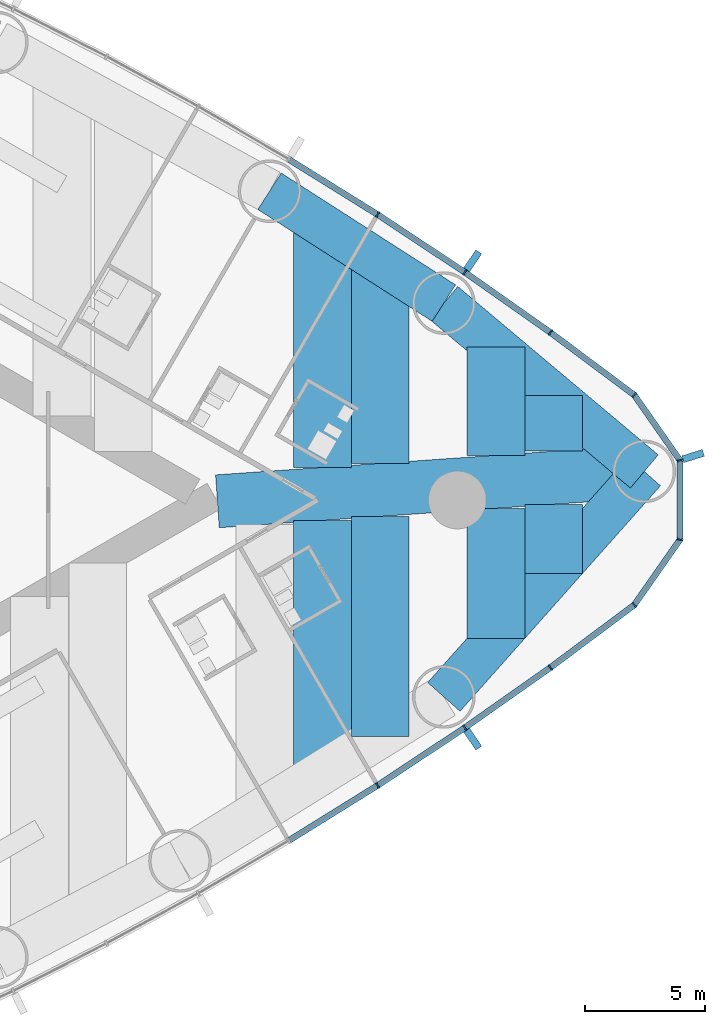
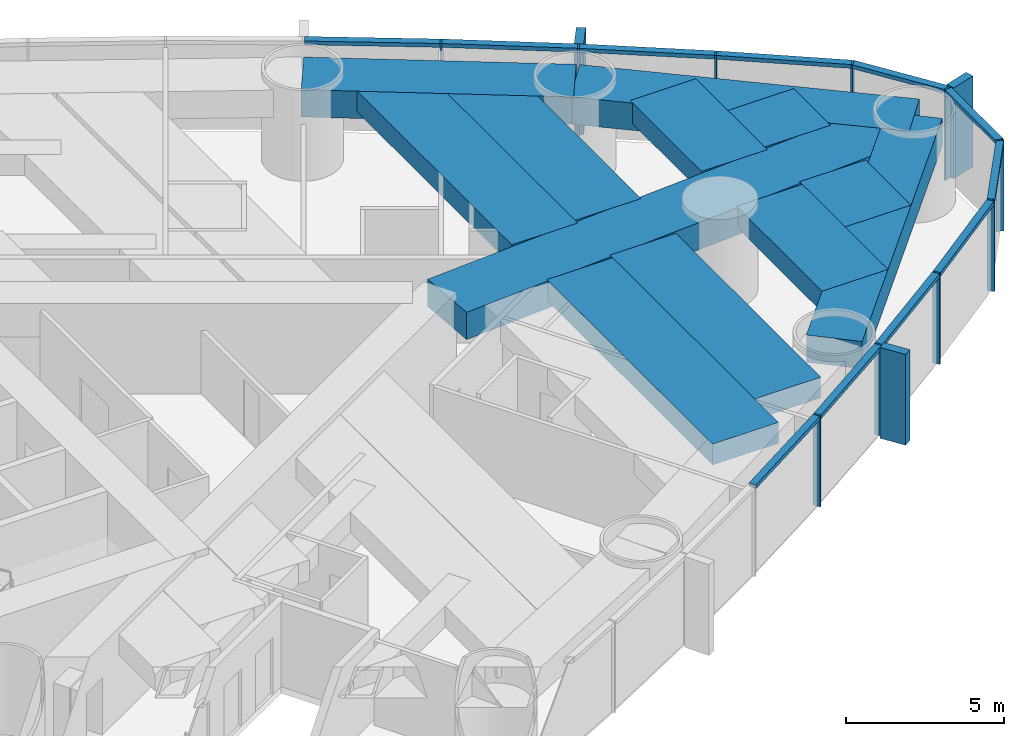
# One storey, part 8 of 18: 24 members, 12 beams, 1 element without a shape of its own.
"""IFC4 building model written with IfcOpenShell, lengths in metres."""

from ifc_helpers import new_model, si_unit, direction, frame, origin, origin_2d, place, context, subcontext, project, spatial, rectangle, extrude, material, material_profile, profile_set, type_object, element, aggregate, save


model = new_model("IFC4")

# Units and contexts
model_context = context("Model", 3, precision=1e-05, world=origin(), true_north=direction((0.0, 1.0)))
body_context = subcontext(model_context, "Body", "Model", "MODEL_VIEW")
ifc_project = project(units=[si_unit("LENGTHUNIT", "METRE"), si_unit("AREAUNIT", "SQUARE_METRE"), si_unit("VOLUMEUNIT", "CUBIC_METRE"), si_unit("PLANEANGLEUNIT", "RADIAN"), si_unit("MASSUNIT", "GRAM", prefix="KILO")], contexts=[model_context])

# Site, building, storey
site_placement = place(None, origin())
site = spatial("IfcSite", under=ifc_project, at=site_placement, CompositionType="ELEMENT")
building_placement = place(site_placement, origin())
building = spatial("IfcBuilding", under=site, at=building_placement, Name="Lancet Gate Hotel", CompositionType="ELEMENT")
storey_placement = place(building_placement, frame((0.0, 0.0, 101.10009765625)))
storey = spatial("IfcBuildingStorey", under=building, at=storey_placement, Name="L26", CompositionType="ELEMENT", Elevation=101.10009765625)

# Curtain wall, members
ifc_material_1 = material(Name="Aluminium curtain wall", Category="aluminium")
curtain_wall_type = type_object("IfcCurtainWallType", Name="Tower unitised curtain wall", PredefinedType="USERDEFINED", material=ifc_material_1)
curtain_wall_placement = place(storey_placement, origin())
curtain_wall = element("IfcCurtainWall", 1, at=curtain_wall_placement, inside=storey, type_object=curtain_wall_type, Name="T2 L26 curtain wall 1", ObjectType="UNITISED CURTAIN WALL", PredefinedType="USERDEFINED")
ifc_material_2 = material(Name="Aluminium mullion", Category="aluminium")
ifc_material_profile_1 = material_profile(ifc_material_2, rectangle(XDim=0.06494140625, YDim=0.25, at=origin_2d()), Name="MULLION 65x250")
ifc_profile_set_1 = profile_set([ifc_material_profile_1], Name="Aluminium mullion")
member_type_1 = type_object("IfcMemberType", Name="Aluminium mullion 65x250", PredefinedType="MULLION", material=ifc_profile_set_1)
member_1_placement = place(storey_placement, frame((58.188720703125, -11.8603515625, 0.0), z_axis=(0.0, 0.0, 1.0), x_axis=(0.841736224144, 0.539888996891, 0.0)))
member_1 = element("IfcMember", 2, at=member_1_placement, type_object=member_type_1, Name="T2 L26 curtain wall 1 mullion 13", PredefinedType="MULLION", context=body_context, shape_type="SweptSolid", body=[
    extrude(rectangle(XDim=0.06494140625, YDim=0.25, at=origin_2d()), origin(), (0.0, 0.0, 1.0), 3.5),
])
member_2_placement = place(storey_placement, frame((61.814208984375, -9.461669921875, 0.0), z_axis=(0.0, 0.0, 1.0), x_axis=(0.826065510491, 0.563574105489, 0.0)))
member_2 = element("IfcMember", 3, at=member_2_placement, type_object=member_type_1, Name="T2 L26 curtain wall 1 mullion 14", PredefinedType="MULLION", context=body_context, shape_type="SweptSolid", body=[
    extrude(rectangle(XDim=0.06494140625, YDim=0.25, at=origin_2d()), origin(), (0.0, 0.0, 1.0), 3.5),
])
member_3_placement = place(storey_placement, frame((65.370361328125, -6.9609375, 0.0), z_axis=(0.0, 0.0, 1.0), x_axis=(0.809728529035, 0.586804660229, 0.0)))
member_3 = element("IfcMember", 4, at=member_3_placement, type_object=member_type_1, Name="T2 L26 curtain wall 1 mullion 15", PredefinedType="MULLION", context=body_context, shape_type="SweptSolid", body=[
    extrude(rectangle(XDim=0.06494140625, YDim=0.25, at=origin_2d()), origin(), (0.0, 0.0, 1.0), 3.5),
])
member_4_placement = place(storey_placement, frame((68.853759765625, -4.360107421875, 0.0), z_axis=(0.0, 0.0, 1.0), x_axis=(0.711610374907, 0.702574319432, 0.0)))
member_4 = element("IfcMember", 5, at=member_4_placement, type_object=member_type_1, Name="T2 L26 curtain wall 1 mullion 16", PredefinedType="MULLION", context=body_context, shape_type="SweptSolid", body=[
    extrude(rectangle(XDim=0.06494140625, YDim=0.25, at=origin_2d()), origin(), (0.0, 0.0, 1.0), 3.5),
])
member_5_placement = place(storey_placement, frame((70.747314453125, -1.652099609375, 0.0), z_axis=(0.0, 0.0, 1.0), x_axis=(0.300384890639, 0.953818073574, 0.0)))
member_5 = element("IfcMember", 6, at=member_5_placement, type_object=member_type_1, Name="T2 L26 curtain wall 1 mullion 17", PredefinedType="MULLION", context=body_context, shape_type="SweptSolid", body=[
    extrude(rectangle(XDim=0.06494140625, YDim=0.25, at=origin_2d()), origin(), (0.0, 0.0, 1.0), 3.5),
])
member_6_placement = place(storey_placement, frame((70.747314453125, 1.652099609375, 0.0), z_axis=(0.0, 0.0, 1.0), x_axis=(-0.300384890639, 0.953818073574, 0.0)))
member_6 = element("IfcMember", 7, at=member_6_placement, type_object=member_type_1, Name="T2 L26 curtain wall 1 mullion 18", PredefinedType="MULLION", context=body_context, shape_type="SweptSolid", body=[
    extrude(rectangle(XDim=0.06494140625, YDim=0.25, at=origin_2d()), origin(), (0.0, 0.0, 1.0), 3.5),
])
member_7_placement = place(storey_placement, frame((68.853759765625, 4.360107421875, 0.0), z_axis=(0.0, 0.0, 1.0), x_axis=(-0.711610374907, 0.702574319432, 0.0)))
member_7 = element("IfcMember", 8, at=member_7_placement, type_object=member_type_1, Name="T2 L26 curtain wall 1 mullion 19", PredefinedType="MULLION", context=body_context, shape_type="SweptSolid", body=[
    extrude(rectangle(XDim=0.06494140625, YDim=0.25, at=origin_2d()), origin(), (0.0, 0.0, 1.0), 3.5),
])
member_8_placement = place(storey_placement, frame((65.370361328125, 6.9609375, 0.0), z_axis=(0.0, 0.0, 1.0), x_axis=(-0.809728529035, 0.586804660229, 0.0)))
member_8 = element("IfcMember", 9, at=member_8_placement, type_object=member_type_1, Name="T2 L26 curtain wall 1 mullion 20", PredefinedType="MULLION", context=body_context, shape_type="SweptSolid", body=[
    extrude(rectangle(XDim=0.06494140625, YDim=0.25, at=origin_2d()), origin(), (0.0, 0.0, 1.0), 3.5),
])
member_9_placement = place(storey_placement, frame((61.814208984375, 9.461669921875, 0.0), z_axis=(0.0, 0.0, 1.0), x_axis=(-0.826065510491, 0.563574105489, 0.0)))
member_9 = element("IfcMember", 10, at=member_9_placement, type_object=member_type_1, Name="T2 L26 curtain wall 1 mullion 21", PredefinedType="MULLION", context=body_context, shape_type="SweptSolid", body=[
    extrude(rectangle(XDim=0.06494140625, YDim=0.25, at=origin_2d()), origin(), (0.0, 0.0, 1.0), 3.5),
])
member_10_placement = place(storey_placement, frame((58.188720703125, 11.8603515625, 0.0), z_axis=(0.0, 0.0, 1.0), x_axis=(-0.841736224144, 0.539888996891, 0.0)))
member_10 = element("IfcMember", 11, at=member_10_placement, type_object=member_type_1, Name="T2 L26 curtain wall 1 mullion 22", PredefinedType="MULLION", context=body_context, shape_type="SweptSolid", body=[
    extrude(rectangle(XDim=0.06494140625, YDim=0.25, at=origin_2d()), origin(), (0.0, 0.0, 1.0), 3.5),
])
ifc_material_3 = material(Name="Aluminium transom", Category="aluminium")
ifc_material_profile_2 = material_profile(ifc_material_3, rectangle(XDim=0.25, YDim=0.14990234375, at=origin_2d()), Name="TRANSOM 250x150")
ifc_profile_set_2 = profile_set([ifc_material_profile_2], Name="Aluminium transom")
member_type_2 = type_object("IfcMemberType", Name="Aluminium transom 250x150", PredefinedType="USERDEFINED", material=ifc_profile_set_2)
member_11_placement = place(storey_placement, frame((54.52392578125, -14.13818359375, 3.4248046875), z_axis=(0.849308812566, 0.527896335371, 0.0), x_axis=(-0.527896335371, 0.849308812566, 0.0)))
member_11 = element("IfcMember", 12, at=member_11_placement, type_object=member_type_2, Name="T2 L26 curtain wall 1 transom 12", ObjectType="TRANSOM", PredefinedType="USERDEFINED", context=body_context, shape_type="SweptSolid", body=[
    extrude(rectangle(XDim=0.25, YDim=0.14990234375, at=origin_2d()), origin(), (0.0, 0.0, 1.0), 4.282470703125),
])
member_12_placement = place(storey_placement, frame((58.2158203125, -11.842529296875, 3.4248046875), z_axis=(0.833966159038, 0.551815590192, 0.0), x_axis=(-0.551815590192, 0.833966159038, 0.0)))
member_12 = element("IfcMember", 13, at=member_12_placement, type_object=member_type_2, Name="T2 L26 curtain wall 1 transom 13", ObjectType="TRANSOM", PredefinedType="USERDEFINED", context=body_context, shape_type="SweptSolid", body=[
    extrude(rectangle(XDim=0.25, YDim=0.14990234375, at=origin_2d()), origin(), (0.0, 0.0, 1.0), 4.2822265625),
])
member_13_placement = place(storey_placement, frame((61.8408203125, -9.44287109375, 3.4248046875), z_axis=(0.817987243547, 0.57523635959, 0.0), x_axis=(-0.57523635959, 0.817987243547, 0.0)))
member_13 = element("IfcMember", 14, at=member_13_placement, type_object=member_type_2, Name="T2 L26 curtain wall 1 transom 14", ObjectType="TRANSOM", PredefinedType="USERDEFINED", context=body_context, shape_type="SweptSolid", body=[
    extrude(rectangle(XDim=0.25, YDim=0.14990234375, at=origin_2d()), origin(), (0.0, 0.0, 1.0), 4.282470703125),
])
member_14_placement = place(storey_placement, frame((65.396240234375, -6.94140625, 3.4248046875), z_axis=(0.801311559064, 0.598247261014, 0.0), x_axis=(-0.598247261014, 0.801311559064, 0.0)))
member_14 = element("IfcMember", 15, at=member_14_placement, type_object=member_type_2, Name="T2 L26 curtain wall 1 transom 15", ObjectType="TRANSOM", PredefinedType="USERDEFINED", context=body_context, shape_type="SweptSolid", body=[
    extrude(rectangle(XDim=0.25, YDim=0.14990234375, at=origin_2d()), origin(), (0.0, 0.0, 1.0), 4.282470703125),
])
member_15_placement = place(storey_placement, frame((68.87255859375, -4.33349609375, 3.4248046875), z_axis=(0.573017137751, 0.819543384967, 0.0), x_axis=(-0.819543384967, 0.573017137751, 0.0)))
member_15 = element("IfcMember", 16, at=member_15_placement, type_object=member_type_2, Name="T2 L26 curtain wall 1 transom 16", ObjectType="TRANSOM", PredefinedType="USERDEFINED", context=body_context, shape_type="SweptSolid", body=[
    extrude(rectangle(XDim=0.25, YDim=0.14990234375, at=origin_2d()), origin(), (0.0, 0.0, 1.0), 3.2392578125),
])
member_16_placement = place(storey_placement, frame((70.747314453125, -1.61962890625, 3.4248046875), z_axis=(0.0, 1.0, 0.0), x_axis=(-1.0, 0.0, 0.0)))
member_16 = element("IfcMember", 17, at=member_16_placement, type_object=member_type_2, Name="T2 L26 curtain wall 1 transom 17", ObjectType="TRANSOM", PredefinedType="USERDEFINED", context=body_context, shape_type="SweptSolid", body=[
    extrude(rectangle(XDim=0.25, YDim=0.14990234375, at=origin_2d()), origin(), (0.0, 0.0, 1.0), 3.2392578125),
])
member_17_placement = place(storey_placement, frame((70.728759765625, 1.6787109375, 3.4248046875), z_axis=(-0.573017137751, 0.819543384967, 0.0), x_axis=(-0.819543384967, -0.573017137751, 0.0)))
member_17 = element("IfcMember", 18, at=member_17_placement, type_object=member_type_2, Name="T2 L26 curtain wall 1 transom 18", ObjectType="TRANSOM", PredefinedType="USERDEFINED", context=body_context, shape_type="SweptSolid", body=[
    extrude(rectangle(XDim=0.25, YDim=0.14990234375, at=origin_2d()), origin(), (0.0, 0.0, 1.0), 3.2392578125),
])
member_18_placement = place(storey_placement, frame((68.827880859375, 4.37939453125, 3.4248046875), z_axis=(-0.801311559064, 0.598247261014, 0.0), x_axis=(-0.598247261014, -0.801311559064, 0.0)))
member_18 = element("IfcMember", 19, at=member_18_placement, type_object=member_type_2, Name="T2 L26 curtain wall 1 transom 19", ObjectType="TRANSOM", PredefinedType="USERDEFINED", context=body_context, shape_type="SweptSolid", body=[
    extrude(rectangle(XDim=0.25, YDim=0.14990234375, at=origin_2d()), origin(), (0.0, 0.0, 1.0), 4.282470703125),
])
member_19_placement = place(storey_placement, frame((65.34375, 6.9794921875, 3.4248046875), z_axis=(-0.817987243547, 0.57523635959, 0.0), x_axis=(-0.57523635959, -0.817987243547, 0.0)))
member_19 = element("IfcMember", 20, at=member_19_placement, type_object=member_type_2, Name="T2 L26 curtain wall 1 transom 20", ObjectType="TRANSOM", PredefinedType="USERDEFINED", context=body_context, shape_type="SweptSolid", body=[
    extrude(rectangle(XDim=0.25, YDim=0.14990234375, at=origin_2d()), origin(), (0.0, 0.0, 1.0), 4.282470703125),
])
member_20_placement = place(storey_placement, frame((61.787109375, 9.4794921875, 3.4248046875), z_axis=(-0.833966159038, 0.551815590192, 0.0), x_axis=(-0.551815590192, -0.833966159038, 0.0)))
member_20 = element("IfcMember", 21, at=member_20_placement, type_object=member_type_2, Name="T2 L26 curtain wall 1 transom 21", ObjectType="TRANSOM", PredefinedType="USERDEFINED", context=body_context, shape_type="SweptSolid", body=[
    extrude(rectangle(XDim=0.25, YDim=0.14990234375, at=origin_2d()), origin(), (0.0, 0.0, 1.0), 4.2822265625),
])
member_21_placement = place(storey_placement, frame((58.1611328125, 11.87744140625, 3.4248046875), z_axis=(-0.849308812566, 0.527896335371, 0.0), x_axis=(-0.527896335371, -0.849308812566, 0.0)))
member_21 = element("IfcMember", 22, at=member_21_placement, type_object=member_type_2, Name="T2 L26 curtain wall 1 transom 22", ObjectType="TRANSOM", PredefinedType="USERDEFINED", context=body_context, shape_type="SweptSolid", body=[
    extrude(rectangle(XDim=0.25, YDim=0.14990234375, at=origin_2d()), origin(), (0.0, 0.0, 1.0), 4.282470703125),
])

# Beams
ifc_material_4 = material(Name="Concrete C50/60", Category="concrete")
ifc_material_profile_3 = material_profile(ifc_material_4, rectangle(XDim=1.800048828125, YDim=1.050048828125, at=origin_2d()), Name="RC 1800x1050")
ifc_profile_set_3 = profile_set([ifc_material_profile_3], Name="Concrete C50/60")
beam_type_1 = type_object("IfcBeamType", Name="Edge beam RC 1800x1050", PredefinedType="SPANDREL", material=ifc_profile_set_3)
beam_1_placement = place(storey_placement, frame((60.940673828125, -8.18115234375, 2.724853515625), z_axis=(0.664421866815, 0.74735773422, 0.0), x_axis=(-0.74735773422, 0.664421866815, 0.0)))
element("IfcBeam", 23, at=beam_1_placement, inside=storey, type_object=beam_type_1, Name="T2 edge beam EB1 L26", PredefinedType="SPANDREL", context=body_context, shape_type="SweptSolid", body=[
    extrude(rectangle(XDim=1.800048828125, YDim=1.050048828125, at=origin_2d()), origin(), (0.0, 0.0, 1.0), 12.534423828125),
])
beam_2_placement = place(storey_placement, frame((69.268798828125, 1.1865234375, 2.724853515625), z_axis=(-0.765749969712, 0.643138386264, 0.0), x_axis=(-0.643138386264, -0.765749969712, 0.0)))
element("IfcBeam", 24, at=beam_2_placement, inside=storey, type_object=beam_type_1, Name="T2 edge beam EB1 L26", PredefinedType="SPANDREL", context=body_context, shape_type="SweptSolid", body=[
    extrude(rectangle(XDim=1.800048828125, YDim=1.050048828125, at=origin_2d()), origin(), (0.0, 0.0, 1.0), 10.875732421875),
])
beam_3_placement = place(storey_placement, frame((60.940673828125, 8.18115234375, 2.724853515625), z_axis=(-0.841727408736, 0.539902740669, 0.0), x_axis=(-0.539902740669, -0.841727408736, 0.0)))
element("IfcBeam", 25, at=beam_3_placement, inside=storey, type_object=beam_type_1, Name="T2 edge beam EB1 L26", PredefinedType="SPANDREL", context=body_context, shape_type="SweptSolid", body=[
    extrude(rectangle(XDim=1.800048828125, YDim=1.050048828125, at=origin_2d()), origin(), (0.0, 0.0, 1.0), 8.605712890625),
])

# Member
ifc_material_5 = material(Name="Precast concrete C50/60", Category="concrete")
ifc_material_profile_4 = material_profile(ifc_material_5, rectangle(XDim=0.300048828125, YDim=0.89990234375, at=origin_2d()), Name="FIN 300x900")
ifc_profile_set_4 = profile_set([ifc_material_profile_4], Name="Precast concrete C50/60")
member_type_3 = type_object("IfcMemberType", Name="Exposed concrete fin 300x900", PredefinedType="USERDEFINED", material=ifc_profile_set_4)
member_22_placement = place(storey_placement, frame((62.138427734375, -9.9365234375, 0.0), z_axis=(0.0, 0.0, 1.0), x_axis=(0.826065510491, 0.563574105489, 0.0)))
member_22 = element("IfcMember", 26, at=member_22_placement, type_object=member_type_3, Name="T2 L26 curtain wall 1 fin 14", ObjectType="FIN", PredefinedType="USERDEFINED", context=body_context, shape_type="SweptSolid", body=[
    extrude(rectangle(XDim=0.300048828125, YDim=0.89990234375, at=origin_2d()), origin(), (0.0, 0.0, 1.0), 3.5),
])

member_23_placement = place(storey_placement, frame((71.295654296875, 1.824951171875, 0.0), z_axis=(0.0, 0.0, 1.0), x_axis=(-0.300384890639, 0.953818073574, 0.0)))
member_23 = element("IfcMember", 27, at=member_23_placement, type_object=member_type_3, Name="T2 L26 curtain wall 1 fin 18", ObjectType="FIN", PredefinedType="USERDEFINED", context=body_context, shape_type="SweptSolid", body=[
    extrude(rectangle(XDim=0.300048828125, YDim=0.89990234375, at=origin_2d()), origin(), (0.0, 0.0, 1.0), 3.5),
])

member_24_placement = place(storey_placement, frame((62.138427734375, 9.9365234375, 0.0), z_axis=(0.0, 0.0, 1.0), x_axis=(-0.826065510491, 0.563574105489, 0.0)))
member_24 = element("IfcMember", 28, at=member_24_placement, type_object=member_type_3, Name="T2 L26 curtain wall 1 fin 21", ObjectType="FIN", PredefinedType="USERDEFINED", context=body_context, shape_type="SweptSolid", body=[
    extrude(rectangle(XDim=0.300048828125, YDim=0.89990234375, at=origin_2d()), origin(), (0.0, 0.0, 1.0), 3.5),
])

aggregate(curtain_wall, [member_1, member_2, member_22, member_3, member_4, member_5, member_6, member_23, member_7, member_8, member_9, member_24, member_10, member_11, member_12, member_13, member_14, member_15, member_16, member_17, member_18, member_19, member_20, member_21])

# Beams
ifc_material_6 = material(Name="Concrete C50/60", Category="concrete")
ifc_material_profile_5 = material_profile(ifc_material_6, rectangle(XDim=2.39990234375, YDim=0.800048828125, at=origin_2d()), Name="RC 2400x800")
ifc_profile_set_5 = profile_set([ifc_material_profile_5], Name="Concrete C50/60")
beam_type_2 = type_object("IfcBeamType", Name="Floor beam RC 2400x800", PredefinedType="BEAM", material=ifc_profile_set_5)
beam_4_placement = place(storey_placement, frame((55.90234375, -11.312744140625, 2.849853515625), z_axis=(0.0, 1.0, 0.0), x_axis=(-1.0, 0.0, 0.0)))
element("IfcBeam", 29, at=beam_4_placement, inside=storey, type_object=beam_type_2, Name="T2 floor beam F14S L26", PredefinedType="BEAM", context=body_context, shape_type="SweptSolid", body=[
    extrude(rectangle(XDim=2.39990234375, YDim=0.800048828125, at=origin_2d()), origin(), (0.0, 0.0, 1.0), 10.4619140625),
])
beam_5_placement = place(storey_placement, frame((55.90234375, 1.3544921875, 2.849853515625), z_axis=(0.0, 1.0, 0.0), x_axis=(-1.0, 0.0, 0.0)))
element("IfcBeam", 30, at=beam_5_placement, inside=storey, type_object=beam_type_2, Name="T2 floor beam F15N L26", PredefinedType="BEAM", context=body_context, shape_type="SweptSolid", body=[
    extrude(rectangle(XDim=2.39990234375, YDim=0.800048828125, at=origin_2d()), origin(), (0.0, 0.0, 1.0), 10.058349609375),
])
beam_6_placement = place(storey_placement, frame((58.30224609375, -9.821044921875, 2.849853515625), z_axis=(0.0, 1.0, 0.0), x_axis=(-1.0, 0.0, 0.0)))
element("IfcBeam", 31, at=beam_6_placement, inside=storey, type_object=beam_type_2, Name="T2 floor beam F16S L26", PredefinedType="BEAM", context=body_context, shape_type="SweptSolid", body=[
    extrude(rectangle(XDim=2.39990234375, YDim=0.800048828125, at=origin_2d()), origin(), (0.0, 0.0, 1.0), 9.137939453125),
])
beam_7_placement = place(storey_placement, frame((58.30224609375, 1.522216796875, 2.849853515625), z_axis=(0.0, 1.0, 0.0), x_axis=(-1.0, 0.0, 0.0)))
element("IfcBeam", 32, at=beam_7_placement, inside=storey, type_object=beam_type_2, Name="T2 floor beam F17N L26", PredefinedType="BEAM", context=body_context, shape_type="SweptSolid", body=[
    extrude(rectangle(XDim=2.39990234375, YDim=0.800048828125, at=origin_2d()), origin(), (0.0, 0.0, 1.0), 8.351318359375),
])
beam_8_placement = place(storey_placement, frame((63.102294921875, -5.75, 2.849853515625), z_axis=(0.0, 1.0, 0.0), x_axis=(-1.0, 0.0, 0.0)))
element("IfcBeam", 33, at=beam_8_placement, inside=storey, type_object=beam_type_2, Name="T2 floor beam F18S L26", PredefinedType="BEAM", context=body_context, shape_type="SweptSolid", body=[
    extrude(rectangle(XDim=2.39990234375, YDim=0.800048828125, at=origin_2d()), origin(), (0.0, 0.0, 1.0), 5.402587890625),
])
beam_9_placement = place(storey_placement, frame((63.102294921875, 1.85791015625, 2.849853515625), z_axis=(0.0, 1.0, 0.0), x_axis=(-1.0, 0.0, 0.0)))
element("IfcBeam", 34, at=beam_9_placement, inside=storey, type_object=beam_type_2, Name="T2 floor beam F19N L26", PredefinedType="BEAM", context=body_context, shape_type="SweptSolid", body=[
    extrude(rectangle(XDim=2.39990234375, YDim=0.800048828125, at=origin_2d()), origin(), (0.0, 0.0, 1.0), 4.5078125),
])
beam_10_placement = place(storey_placement, frame((65.502197265625, -3.05029296875, 2.849853515625), z_axis=(0.0, 1.0, 0.0), x_axis=(-1.0, 0.0, 0.0)))
element("IfcBeam", 35, at=beam_10_placement, inside=storey, type_object=beam_type_2, Name="T2 floor beam F20S L26", PredefinedType="BEAM", context=body_context, shape_type="SweptSolid", body=[
    extrude(rectangle(XDim=2.39990234375, YDim=0.800048828125, at=origin_2d()), origin(), (0.0, 0.0, 1.0), 2.87060546875),
])
beam_11_placement = place(storey_placement, frame((65.502197265625, 2.02587890625, 2.849853515625), z_axis=(0.0, 1.0, 0.0), x_axis=(-1.0, 0.0, 0.0)))
element("IfcBeam", 36, at=beam_11_placement, inside=storey, type_object=beam_type_2, Name="T2 floor beam F21N L26", PredefinedType="BEAM", context=body_context, shape_type="SweptSolid", body=[
    extrude(rectangle(XDim=2.39990234375, YDim=0.800048828125, at=origin_2d()), origin(), (0.0, 0.0, 1.0), 2.32421875),
])
ifc_material_7 = material(Name="Concrete C50/60", Category="concrete")
ifc_material_profile_6 = material_profile(ifc_material_7, rectangle(XDim=2.199951171875, YDim=1.050048828125, at=origin_2d()), Name="RC 2200x1050")
ifc_profile_set_6 = profile_set([ifc_material_profile_6], Name="Concrete C50/60")
beam_type_3 = type_object("IfcBeamType", Name="Radial floor beam RC 2200x1050", PredefinedType="BEAM", material=ifc_profile_set_6)
beam_12_placement = place(storey_placement, frame((69.268798828125, 1.1865234375, 2.724853515625), z_axis=(-0.99756389092, -0.069758752369, 0.0), x_axis=(0.069758752369, -0.99756389092, 0.0)))
element("IfcBeam", 37, at=beam_12_placement, inside=storey, type_object=beam_type_3, Name="T2 radial beam CA L26", PredefinedType="BEAM", context=body_context, shape_type="SweptSolid", body=[
    extrude(rectangle(XDim=2.199951171875, YDim=1.050048828125, at=origin_2d()), origin(), (0.0, 0.0, 1.0), 17.77880859375),
])

save(model, "model.ifc")
